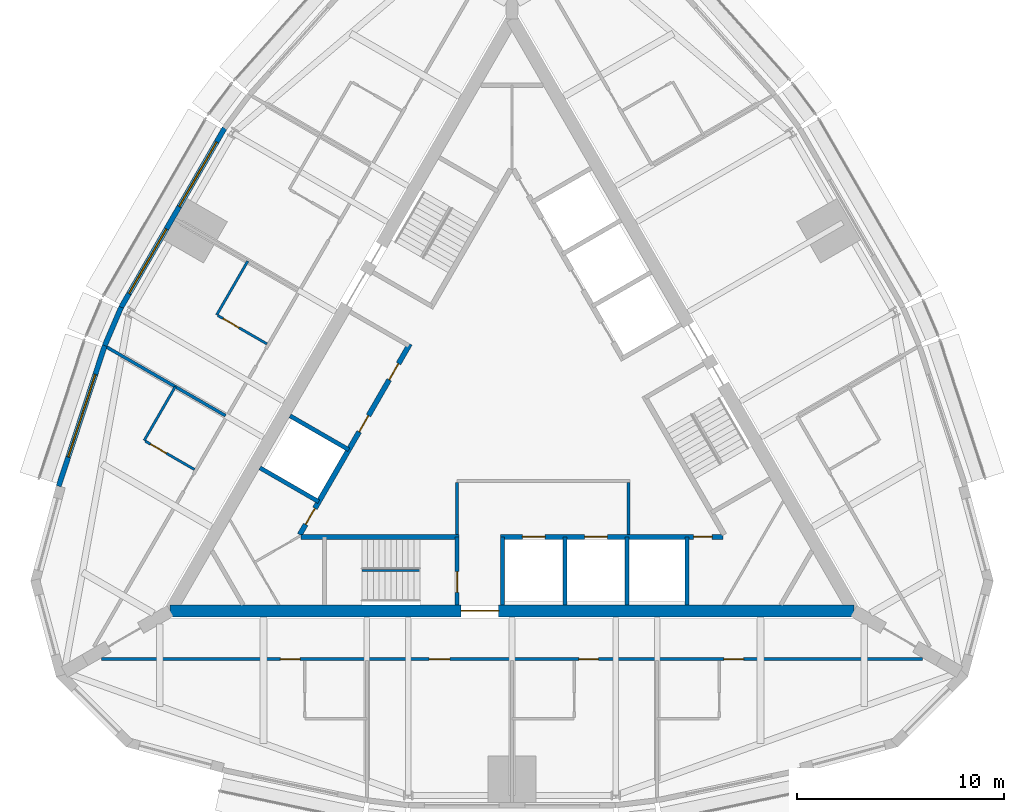
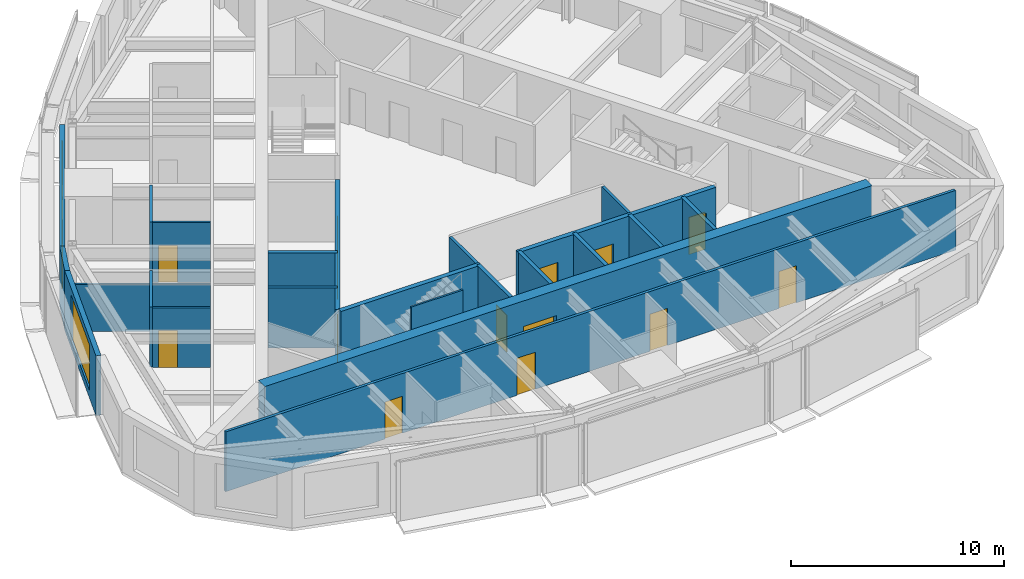
# One storey, part 8 of 12: 23 walls, 14 doors, 3 windows, 17 openings.
"""IFC4 building model written with IfcOpenShell, lengths in metres."""

from ifc_helpers import new_model, si_unit, direction, frame, frame_2d, origin, place, context, subcontext, project, spatial, rectangle, extrude, material, layer, layer_set, type_object, element, fill, save


model = new_model("IFC4")

# Units and contexts
model_context = context("Model", 3, precision=1e-05, world=origin(), true_north=direction((0.0, 1.0)))
body_context = subcontext(model_context, "Body", "Model", "MODEL_VIEW")
ifc_project = project(units=[si_unit("LENGTHUNIT", "METRE"), si_unit("AREAUNIT", "SQUARE_METRE"), si_unit("VOLUMEUNIT", "CUBIC_METRE"), si_unit("PLANEANGLEUNIT", "RADIAN"), si_unit("MASSUNIT", "GRAM", prefix="KILO")], contexts=[model_context])

# Site, building, storey
site_placement = place(None, origin())
site = spatial("IfcSite", under=ifc_project, at=site_placement, CompositionType="ELEMENT")
building_placement = place(site_placement, origin())
building = spatial("IfcBuilding", under=site, at=building_placement, Name="Trikona Tower", CompositionType="ELEMENT")
storey_placement = place(building_placement, frame((0.0, 0.0, 246.5)))
storey = spatial("IfcBuildingStorey", under=building, at=storey_placement, Name="L65", CompositionType="ELEMENT", Elevation=246.5)

# Wall
ifc_material_1 = material(Name="Metal stud and cement board", Category="gypsum")
ifc_layer_1 = layer(ifc_material_1, 0.1201171875)
ifc_layer_set_1 = layer_set([ifc_layer_1], Name="Bathroom wall 120")
wall_type_1 = type_object("IfcWallType", Name="Bathroom wall 120", PredefinedType="PLUMBINGWALL", material=ifc_layer_set_1)
wall_1_placement = place(storey_placement, frame((-12.75341796875, 7.363037109375, 0.0), z_axis=(0.0, 0.0, 1.0), x_axis=(-0.50002537861, -0.866010750942, 0.0)))
element("IfcWall", 1, at=wall_1_placement, inside=storey, type_object=wall_type_1, Name="Bathroom wall 6508", PredefinedType="PLUMBINGWALL", context=body_context, shape_type="SweptSolid", body=[
    extrude(rectangle(XDim=2.999755859375, YDim=0.1201171875, at=frame_2d((1.5, 0.0))), origin(), (0.0, 0.0, 1.0), 3.43505859375),
])

# Wall, opening, door
wall_2_placement = place(storey_placement, frame((-11.82861328125, 3.364990234375, 0.0), z_axis=(0.0, 0.0, 1.0), x_axis=(-0.865997131366, 0.500048966069, 0.0)))
wall_2 = element("IfcWall", 2, at=wall_2_placement, inside=storey, type_object=wall_type_1, Name="Bathroom wall 6508", PredefinedType="PLUMBINGWALL", context=body_context, shape_type="SweptSolid", body=[
    extrude(rectangle(XDim=2.739990234375, YDim=0.1201171875, at=frame_2d((1.3701171875, 0.0))), origin(), (0.0, 0.0, 1.0), 3.43505859375),
])
opening_1_placement = place(wall_2_placement, frame((1.550048828125, 0.0, 0.0)))
opening_1 = element("IfcOpeningElement", 3, at=opening_1_placement, cuts=wall_2, Name="Opening D2", PredefinedType="OPENING", context=body_context, shape_type="SweptSolid", body=[
    extrude(rectangle(XDim=0.89990234375, YDim=2.1298828125, at=frame_2d((0.449951171875, 1.06494140625))), frame((0.0, 0.070068359375, 0.0), z_axis=(0.0, -1.0, 0.0), x_axis=(1.0, 0.0, 0.0)), (0.0, 0.0, 1.0), 0.14013671875),
])
ifc_material_2 = material(Name="Steel door frame with solid-core timber leaf", Category="steel")
door_type_1 = type_object("IfcDoorType", Name="Bathroom door 900x2130", OperationType="SLIDING_TO_LEFT", PredefinedType="DOOR", material=ifc_material_2)
door_1_placement = place(opening_1_placement, origin())
door_1 = element("IfcDoor", 4, at=door_1_placement, inside=storey, type_object=door_type_1, Name="Bathroom door 6508", OperationType="SLIDING_TO_LEFT", OverallHeight=2.1298828125, OverallWidth=0.89990234375, PredefinedType="DOOR", context=body_context, shape_type="SweptSolid", body=[
    extrude(rectangle(XDim=0.89990234375, YDim=2.1298828125, at=frame_2d((0.449951171875, 1.06494140625))), frame((0.0, 0.02490234375, 0.0), z_axis=(0.0, -1.0, 0.0), x_axis=(1.0, 0.0, 0.0)), (0.0, 0.0, 1.0), 0.050048828125),
])
fill(opening_1, door_1)

# Wall
wall_3_placement = place(storey_placement, frame((-16.25341796875, 1.301025390625, 0.0), z_axis=(0.0, 0.0, 1.0), x_axis=(-0.499990139034, -0.866031096941, 0.0)))
element("IfcWall", 5, at=wall_3_placement, inside=storey, type_object=wall_type_1, Name="Bathroom wall 6509", PredefinedType="PLUMBINGWALL", context=body_context, shape_type="SweptSolid", body=[
    extrude(rectangle(XDim=3.0, YDim=0.1201171875, at=frame_2d((1.5, 0.0))), origin(), (0.0, 0.0, 1.0), 3.43505859375),
])

# Wall, opening, door
wall_4_placement = place(storey_placement, frame((-15.32861328125, -2.697021484375, 0.0), z_axis=(0.0, 0.0, 1.0), x_axis=(-0.866035715982, 0.499982138324, 0.0)))
wall_4 = element("IfcWall", 6, at=wall_4_placement, inside=storey, type_object=wall_type_1, Name="Bathroom wall 6509", PredefinedType="PLUMBINGWALL", context=body_context, shape_type="SweptSolid", body=[
    extrude(rectangle(XDim=2.73974609375, YDim=0.1201171875, at=frame_2d((1.369873046875, 0.0))), origin(), (0.0, 0.0, 1.0), 3.43505859375),
])
opening_2_placement = place(wall_4_placement, frame((1.550048828125, 0.0, 0.0)))
opening_2 = element("IfcOpeningElement", 7, at=opening_2_placement, cuts=wall_4, Name="Opening D2", PredefinedType="OPENING", context=body_context, shape_type="SweptSolid", body=[
    extrude(rectangle(XDim=0.89990234375, YDim=2.1298828125, at=frame_2d((0.449951171875, 1.06494140625))), frame((0.0, 0.070068359375, 0.0), z_axis=(0.0, -1.0, 0.0), x_axis=(1.0, 0.0, 0.0)), (0.0, 0.0, 1.0), 0.14013671875),
])
door_2_placement = place(opening_2_placement, origin())
door_2 = element("IfcDoor", 8, at=door_2_placement, inside=storey, type_object=door_type_1, Name="Bathroom door 6509", OperationType="SLIDING_TO_LEFT", OverallHeight=2.1298828125, OverallWidth=0.89990234375, PredefinedType="DOOR", context=body_context, shape_type="SweptSolid", body=[
    extrude(rectangle(XDim=0.89990234375, YDim=2.1298828125, at=frame_2d((0.449951171875, 1.06494140625))), frame((0.0, 0.02490234375, 0.0), z_axis=(0.0, -1.0, 0.0), x_axis=(1.0, 0.0, 0.0)), (0.0, 0.0, 1.0), 0.050048828125),
])
fill(opening_2, door_2)

ifc_material_3 = material(Name="Concrete f'c 10000 psi", Category="concrete")
ifc_layer_2 = layer(ifc_material_3, 0.60009765625)
ifc_layer_set_2 = layer_set([ifc_layer_2], Name="Core wall 600")
wall_type_2 = type_object("IfcWallType", Name="Core wall 600", PredefinedType="SHEAR", material=ifc_layer_set_2)
wall_5_placement = place(storey_placement, frame((-16.5, -9.5263671875, 0.0), z_axis=(0.0, 0.0, 1.0), x_axis=(1.0, 0.0, 0.0)))
wall_5 = element("IfcWall", 9, at=wall_5_placement, inside=storey, type_object=wall_type_2, Name="Core wall A", PredefinedType="SHEAR", context=body_context, shape_type="SweptSolid", body=[
    extrude(rectangle(XDim=33.0, YDim=0.60009765625, at=frame_2d((16.5, 0.0))), origin(), (0.0, 0.0, 1.0), 3.60009765625),
])
opening_3_placement = place(wall_5_placement, frame((14.050048828125, 0.0, 0.0)))
opening_3 = element("IfcOpeningElement", 10, at=opening_3_placement, cuts=wall_5, Name="Opening D6", PredefinedType="OPENING", context=body_context, shape_type="SweptSolid", body=[
    extrude(rectangle(XDim=1.800048828125, YDim=2.1298828125, at=frame_2d((0.89990234375, 1.06494140625))), frame((0.0, 0.31005859375, 0.0), z_axis=(0.0, -1.0, 0.0), x_axis=(1.0, 0.0, 0.0)), (0.0, 0.0, 1.0), 0.6201171875),
])
ifc_material_4 = material(Name="Hollow metal door and frame", Category="steel")
door_type_2 = type_object("IfcDoorType", Name="Lobby door pair 1800x2130", OperationType="DOUBLE_DOOR_SINGLE_SWING", PredefinedType="DOOR", material=ifc_material_4)
door_3_placement = place(opening_3_placement, origin())
door_3 = element("IfcDoor", 11, at=door_3_placement, inside=storey, type_object=door_type_2, Name="Fire service lift lobby door", OperationType="DOUBLE_DOOR_SINGLE_SWING", OverallHeight=2.1298828125, OverallWidth=1.800048828125, PredefinedType="DOOR", context=body_context, shape_type="SweptSolid", body=[
    extrude(rectangle(XDim=1.800048828125, YDim=2.1298828125, at=frame_2d((0.89990234375, 1.06494140625))), frame((0.0, 0.02490234375, 0.0), z_axis=(0.0, -1.0, 0.0), x_axis=(1.0, 0.0, 0.0)), (0.0, 0.0, 1.0), 0.050048828125),
])
fill(opening_3, door_3)

# Wall, openings, doors
ifc_material_5 = material(Name="Metal stud and gypsum board, 1-hour", Category="gypsum")
ifc_layer_3 = layer(ifc_material_5, 0.14990234375)
ifc_layer_set_3 = layer_set([ifc_layer_3], Name="Corridor wall 150")
wall_type_3 = type_object("IfcWallType", Name="Corridor wall 150", PredefinedType="PARTITIONING", material=ifc_layer_set_3)
wall_6_placement = place(storey_placement, frame((-19.826904296875, -11.851318359375, 0.0), z_axis=(0.0, 0.0, 1.0), x_axis=(1.0, 0.0, 0.0)))
wall_6 = element("IfcWall", 12, at=wall_6_placement, inside=storey, type_object=wall_type_3, Name="Corridor wall L65-1", PredefinedType="PARTITIONING", context=body_context, shape_type="SweptSolid", body=[
    extrude(rectangle(XDim=39.65380859375, YDim=0.14990234375, at=frame_2d((19.826904296875, 0.0))), origin(), (0.0, 0.0, 1.0), 3.43505859375),
])
opening_4_placement = place(wall_6_placement, frame((8.652099609375, 0.0, 0.0)))
opening_4 = element("IfcOpeningElement", 13, at=opening_4_placement, cuts=wall_6, Name="Opening D1", PredefinedType="OPENING", context=body_context, shape_type="SweptSolid", body=[
    extrude(rectangle(XDim=0.949951171875, YDim=2.1298828125, at=frame_2d((0.47509765625, 1.06494140625))), frame((0.0, 0.0849609375, 0.0), z_axis=(0.0, -1.0, 0.0), x_axis=(1.0, 0.0, 0.0)), (0.0, 0.0, 1.0), 0.169921875),
])
opening_5_placement = place(wall_6_placement, frame((15.826904296875, 0.0, 0.0)))
opening_5 = element("IfcOpeningElement", 14, at=opening_5_placement, cuts=wall_6, Name="Opening D3", PredefinedType="OPENING", context=body_context, shape_type="SweptSolid", body=[
    extrude(rectangle(XDim=1.0, YDim=2.1298828125, at=frame_2d((0.5, 1.06494140625))), frame((0.0, 0.0849609375, 0.0), z_axis=(0.0, -1.0, 0.0), x_axis=(1.0, 0.0, 0.0)), (0.0, 0.0, 1.0), 0.169921875),
])
opening_6_placement = place(wall_6_placement, frame((23.052001953125, 0.0, 0.0)))
opening_6 = element("IfcOpeningElement", 15, at=opening_6_placement, cuts=wall_6, Name="Opening D1", PredefinedType="OPENING", context=body_context, shape_type="SweptSolid", body=[
    extrude(rectangle(XDim=0.949951171875, YDim=2.1298828125, at=frame_2d((0.47509765625, 1.06494140625))), frame((0.0, 0.0849609375, 0.0), z_axis=(0.0, -1.0, 0.0), x_axis=(1.0, 0.0, 0.0)), (0.0, 0.0, 1.0), 0.169921875),
])
opening_7_placement = place(wall_6_placement, frame((30.052001953125, 0.0, 0.0)))
opening_7 = element("IfcOpeningElement", 16, at=opening_7_placement, cuts=wall_6, Name="Opening D1", PredefinedType="OPENING", context=body_context, shape_type="SweptSolid", body=[
    extrude(rectangle(XDim=0.949951171875, YDim=2.1298828125, at=frame_2d((0.47509765625, 1.06494140625))), frame((0.0, 0.0849609375, 0.0), z_axis=(0.0, -1.0, 0.0), x_axis=(1.0, 0.0, 0.0)), (0.0, 0.0, 1.0), 0.169921875),
])
ifc_material_6 = material(Name="Steel door frame with solid-core timber leaf", Category="steel")
door_type_3 = type_object("IfcDoorType", Name="Guest room door 950x2130", OperationType="SINGLE_SWING_LEFT", PredefinedType="DOOR", material=ifc_material_6)
door_4_placement = place(opening_4_placement, origin())
door_4 = element("IfcDoor", 17, at=door_4_placement, inside=storey, type_object=door_type_3, Name="Room door 6501", OperationType="SINGLE_SWING_LEFT", OverallHeight=2.1298828125, OverallWidth=0.949951171875, PredefinedType="DOOR", context=body_context, shape_type="SweptSolid", body=[
    extrude(rectangle(XDim=0.949951171875, YDim=2.1298828125, at=frame_2d((0.47509765625, 1.06494140625))), frame((0.0, 0.02490234375, 0.0), z_axis=(0.0, -1.0, 0.0), x_axis=(1.0, 0.0, 0.0)), (0.0, 0.0, 1.0), 0.050048828125),
])
fill(opening_4, door_4)
door_5_placement = place(opening_6_placement, origin())
door_5 = element("IfcDoor", 18, at=door_5_placement, inside=storey, type_object=door_type_3, Name="Room door 6502", OperationType="SINGLE_SWING_LEFT", OverallHeight=2.1298828125, OverallWidth=0.949951171875, PredefinedType="DOOR", context=body_context, shape_type="SweptSolid", body=[
    extrude(rectangle(XDim=0.949951171875, YDim=2.1298828125, at=frame_2d((0.47509765625, 1.06494140625))), frame((0.0, 0.02490234375, 0.0), z_axis=(0.0, -1.0, 0.0), x_axis=(1.0, 0.0, 0.0)), (0.0, 0.0, 1.0), 0.050048828125),
])
fill(opening_6, door_5)
door_6_placement = place(opening_7_placement, origin())
door_6 = element("IfcDoor", 19, at=door_6_placement, inside=storey, type_object=door_type_3, Name="Room door 6503", OperationType="SINGLE_SWING_RIGHT", OverallHeight=2.1298828125, OverallWidth=0.949951171875, PredefinedType="DOOR", context=body_context, shape_type="SweptSolid", body=[
    extrude(rectangle(XDim=0.949951171875, YDim=2.1298828125, at=frame_2d((0.47509765625, 1.06494140625))), frame((0.0, 0.02490234375, 0.0), z_axis=(0.0, -1.0, 0.0), x_axis=(1.0, 0.0, 0.0)), (0.0, 0.0, 1.0), 0.050048828125),
])
fill(opening_7, door_6)
ifc_material_7 = material(Name="Steel door frame with solid-core timber leaf", Category="steel")
door_type_4 = type_object("IfcDoorType", Name="Room door 1000x2130", OperationType="SINGLE_SWING_LEFT", PredefinedType="DOOR", material=ifc_material_7)
door_7_placement = place(opening_5_placement, origin())
door_7 = element("IfcDoor", 20, at=door_7_placement, inside=storey, type_object=door_type_4, Name="Door Housekeeping pantry", OperationType="SINGLE_SWING_RIGHT", OverallHeight=2.1298828125, OverallWidth=1.0, PredefinedType="DOOR", context=body_context, shape_type="SweptSolid", body=[
    extrude(rectangle(XDim=1.0, YDim=2.1298828125, at=frame_2d((0.5, 1.06494140625))), frame((0.0, 0.02490234375, 0.0), z_axis=(0.0, -1.0, 0.0), x_axis=(1.0, 0.0, 0.0)), (0.0, 0.0, 1.0), 0.050048828125),
])
fill(opening_5, door_7)

# Wall
ifc_material_8 = material(Name="Concrete f'c 8000 psi", Category="concrete")
ifc_layer_4 = layer(ifc_material_8, 0.25)
ifc_layer_set_4 = layer_set([ifc_layer_4], Name="Hub wall 250")
wall_type_4 = type_object("IfcWallType", Name="Hub wall 250", PredefinedType="SOLIDWALL", material=ifc_layer_set_4)
wall_7_placement = place(storey_placement, frame((-10.182861328125, -5.951416015625, 0.0), z_axis=(0.0, 0.0, 1.0), x_axis=(1.0, 0.0, 0.0)))
element("IfcWall", 21, at=wall_7_placement, inside=storey, type_object=wall_type_4, Name="Lift lobby wall A1", PredefinedType="SOLIDWALL", context=body_context, shape_type="SweptSolid", body=[
    extrude(rectangle(XDim=7.6328125, YDim=0.25, at=frame_2d((3.81640625, 0.0))), origin(), (0.0, 0.0, 1.0), 3.43505859375),
])

# Wall, openings, doors
wall_8_placement = place(storey_placement, frame((-0.550048828125, -5.951416015625, 0.0), z_axis=(0.0, 0.0, 1.0), x_axis=(1.0, 0.0, 0.0)))
wall_8 = element("IfcWall", 22, at=wall_8_placement, inside=storey, type_object=wall_type_4, Name="Lift lobby wall A2", PredefinedType="SOLIDWALL", context=body_context, shape_type="SweptSolid", body=[
    extrude(rectangle(XDim=10.73291015625, YDim=0.25, at=frame_2d((5.366455078125, 0.0))), origin(), (0.0, 0.0, 1.0), 3.43505859375),
])
opening_8_placement = place(wall_8_placement, frame((9.31396484375, 0.0, 0.0)))
opening_8 = element("IfcOpeningElement", 23, at=opening_8_placement, cuts=wall_8, Name="Opening D14", PredefinedType="OPENING", context=body_context, shape_type="SweptSolid", body=[
    extrude(rectangle(XDim=0.89990234375, YDim=2.1298828125, at=frame_2d((0.449951171875, 1.06494140625))), frame((0.0, 0.135009765625, 0.0), z_axis=(0.0, -1.0, 0.0), x_axis=(1.0, 0.0, 0.0)), (0.0, 0.0, 1.0), 0.27001953125),
])
opening_9_placement = place(wall_8_placement, frame((1.050048828125, 0.0, 0.0)))
opening_9 = element("IfcOpeningElement", 24, at=opening_9_placement, cuts=wall_8, Name="Opening LD", PredefinedType="OPENING", context=body_context, shape_type="SweptSolid", body=[
    extrude(rectangle(XDim=1.10009765625, YDim=2.1298828125, at=frame_2d((0.550048828125, 1.06494140625))), frame((0.0, 0.135009765625, 0.0), z_axis=(0.0, -1.0, 0.0), x_axis=(1.0, 0.0, 0.0)), (0.0, 0.0, 1.0), 0.27001953125),
])
opening_10_placement = place(wall_8_placement, frame((4.050048828125, 0.0, 0.0)))
opening_10 = element("IfcOpeningElement", 25, at=opening_10_placement, cuts=wall_8, Name="Opening LD", PredefinedType="OPENING", context=body_context, shape_type="SweptSolid", body=[
    extrude(rectangle(XDim=1.10009765625, YDim=2.1298828125, at=frame_2d((0.550048828125, 1.06494140625))), frame((0.0, 0.135009765625, 0.0), z_axis=(0.0, -1.0, 0.0), x_axis=(1.0, 0.0, 0.0)), (0.0, 0.0, 1.0), 0.27001953125),
])
ifc_material_9 = material(Name="Stainless steel lift landing door", Category="steel")
door_type_5 = type_object("IfcDoorType", Name="Lift landing door 1100x2130", OperationType="DOUBLE_DOOR_SLIDING", PredefinedType="USERDEFINED", material=ifc_material_9)
door_8_placement = place(opening_9_placement, origin())
door_8 = element("IfcDoor", 26, at=door_8_placement, inside=storey, type_object=door_type_5, Name="Lift landing door FF1", ObjectType="LIFT LANDING DOOR", OperationType="DOUBLE_DOOR_SLIDING", OverallHeight=2.1298828125, OverallWidth=1.10009765625, PredefinedType="USERDEFINED", context=body_context, shape_type="SweptSolid", body=[
    extrude(rectangle(XDim=1.10009765625, YDim=2.1298828125, at=frame_2d((0.550048828125, 1.06494140625))), frame((0.0, 0.02490234375, 0.0), z_axis=(0.0, -1.0, 0.0), x_axis=(1.0, 0.0, 0.0)), (0.0, 0.0, 1.0), 0.050048828125),
])
fill(opening_9, door_8)
door_9_placement = place(opening_10_placement, origin())
door_9 = element("IfcDoor", 27, at=door_9_placement, inside=storey, type_object=door_type_5, Name="Lift landing door FF2", ObjectType="LIFT LANDING DOOR", OperationType="DOUBLE_DOOR_SLIDING", OverallHeight=2.1298828125, OverallWidth=1.10009765625, PredefinedType="USERDEFINED", context=body_context, shape_type="SweptSolid", body=[
    extrude(rectangle(XDim=1.10009765625, YDim=2.1298828125, at=frame_2d((0.550048828125, 1.06494140625))), frame((0.0, 0.02490234375, 0.0), z_axis=(0.0, -1.0, 0.0), x_axis=(1.0, 0.0, 0.0)), (0.0, 0.0, 1.0), 0.050048828125),
])
fill(opening_10, door_9)
ifc_material_10 = material(Name="Hollow metal door and frame", Category="steel")
door_type_6 = type_object("IfcDoorType", Name="Service room door 900x2130", OperationType="SINGLE_SWING_LEFT", PredefinedType="DOOR", material=ifc_material_10)
door_10_placement = place(opening_8_placement, origin())
door_10 = element("IfcDoor", 28, at=door_10_placement, inside=storey, type_object=door_type_6, Name="Door Housekeeping store HKS", OperationType="SINGLE_SWING_RIGHT", OverallHeight=2.1298828125, OverallWidth=0.89990234375, PredefinedType="DOOR", context=body_context, shape_type="SweptSolid", body=[
    extrude(rectangle(XDim=0.89990234375, YDim=2.1298828125, at=frame_2d((0.449951171875, 1.06494140625))), frame((0.0, 0.02490234375, 0.0), z_axis=(0.0, -1.0, 0.0), x_axis=(1.0, 0.0, 0.0)), (0.0, 0.0, 1.0), 0.050048828125),
])
fill(opening_8, door_10)

wall_9_placement = place(storey_placement, frame((-4.928955078125, 3.365478515625, 0.0), z_axis=(0.0, 0.0, 1.0), x_axis=(-0.499991433582, -0.866030349552, 0.0)))
wall_9 = element("IfcWall", 29, at=wall_9_placement, inside=storey, type_object=wall_type_4, Name="Lift lobby wall C2", PredefinedType="SOLIDWALL", context=body_context, shape_type="SweptSolid", body=[
    extrude(rectangle(XDim=10.633056640625, YDim=0.25, at=frame_2d((5.31640625, 0.0))), origin(), (0.0, 0.0, 1.0), 3.43505859375),
])
opening_11_placement = place(wall_9_placement, frame((9.1640625, 0.0, 0.0)))
opening_11 = element("IfcOpeningElement", 30, at=opening_11_placement, cuts=wall_9, Name="Opening D14", PredefinedType="OPENING", context=body_context, shape_type="SweptSolid", body=[
    extrude(rectangle(XDim=0.89990234375, YDim=2.1298828125, at=frame_2d((0.449951171875, 1.06494140625))), frame((0.0, 0.135009765625, 0.0), z_axis=(0.0, -1.0, 0.0), x_axis=(1.0, 0.0, 0.0)), (0.0, 0.0, 1.0), 0.27001953125),
])
opening_12_placement = place(wall_9_placement, frame((1.10009765625, 0.0, 0.0)))
opening_12 = element("IfcOpeningElement", 31, at=opening_12_placement, cuts=wall_9, Name="Opening D14", PredefinedType="OPENING", context=body_context, shape_type="SweptSolid", body=[
    extrude(rectangle(XDim=0.89990234375, YDim=2.1298828125, at=frame_2d((0.449951171875, 1.06494140625))), frame((0.0, 0.135009765625, 0.0), z_axis=(0.0, -1.0, 0.0), x_axis=(1.0, 0.0, 0.0)), (0.0, 0.0, 1.0), 0.27001953125),
])
opening_13_placement = place(wall_9_placement, frame((4.0, 0.0, 0.0)))
opening_13 = element("IfcOpeningElement", 32, at=opening_13_placement, cuts=wall_9, Name="Opening D14", PredefinedType="OPENING", context=body_context, shape_type="SweptSolid", body=[
    extrude(rectangle(XDim=0.89990234375, YDim=2.1298828125, at=frame_2d((0.449951171875, 1.06494140625))), frame((0.0, 0.135009765625, 0.0), z_axis=(0.0, -1.0, 0.0), x_axis=(1.0, 0.0, 0.0)), (0.0, 0.0, 1.0), 0.27001953125),
])
door_11_placement = place(opening_11_placement, origin())
door_11 = element("IfcDoor", 33, at=door_11_placement, inside=storey, type_object=door_type_6, Name="Door Linen store LIN", OperationType="SINGLE_SWING_RIGHT", OverallHeight=2.1298828125, OverallWidth=0.89990234375, PredefinedType="DOOR", context=body_context, shape_type="SweptSolid", body=[
    extrude(rectangle(XDim=0.89990234375, YDim=2.1298828125, at=frame_2d((0.449951171875, 1.06494140625))), frame((0.0, 0.02490234375, 0.0), z_axis=(0.0, -1.0, 0.0), x_axis=(1.0, 0.0, 0.0)), (0.0, 0.0, 1.0), 0.050048828125),
])
fill(opening_11, door_11)
door_12_placement = place(opening_12_placement, origin())
door_12 = element("IfcDoor", 34, at=door_12_placement, inside=storey, type_object=door_type_6, Name="Door Amenity store AMS1", OperationType="SINGLE_SWING_LEFT", OverallHeight=2.1298828125, OverallWidth=0.89990234375, PredefinedType="DOOR", context=body_context, shape_type="SweptSolid", body=[
    extrude(rectangle(XDim=0.89990234375, YDim=2.1298828125, at=frame_2d((0.449951171875, 1.06494140625))), frame((0.0, 0.02490234375, 0.0), z_axis=(0.0, -1.0, 0.0), x_axis=(1.0, 0.0, 0.0)), (0.0, 0.0, 1.0), 0.050048828125),
])
fill(opening_12, door_12)
door_13_placement = place(opening_13_placement, origin())
door_13 = element("IfcDoor", 35, at=door_13_placement, inside=storey, type_object=door_type_6, Name="Door Amenity store AMS1", OperationType="SINGLE_SWING_RIGHT", OverallHeight=2.1298828125, OverallWidth=0.89990234375, PredefinedType="DOOR", context=body_context, shape_type="SweptSolid", body=[
    extrude(rectangle(XDim=0.89990234375, YDim=2.1298828125, at=frame_2d((0.449951171875, 1.06494140625))), frame((0.0, 0.02490234375, 0.0), z_axis=(0.0, -1.0, 0.0), x_axis=(1.0, 0.0, 0.0)), (0.0, 0.0, 1.0), 0.050048828125),
])
fill(opening_13, door_13)

# Wall, openings, windows
ifc_material_11 = material(Name="Insulated precast concrete spandrel panel", Category="concrete")
ifc_layer_5 = layer(ifc_material_11, 0.25)
ifc_layer_set_5 = layer_set([ifc_layer_5], Name="Inner skin wall 250")
wall_type_5 = type_object("IfcWallType", Name="Inner skin wall 250", PredefinedType="STANDARD", material=ifc_layer_set_5)
wall_10_placement = place(storey_placement, frame((-13.87255859375, 13.782958984375, 0.0), z_axis=(0.0, 0.0, 1.0), x_axis=(-0.499993662806, -0.866029062534, 0.0)))
wall_10 = element("IfcWall", 36, at=wall_10_placement, inside=storey, type_object=wall_type_5, Name="External wall L65-20", PredefinedType="STANDARD", context=body_context, shape_type="SweptSolid", body=[
    extrude(rectangle(XDim=10.000244140625, YDim=0.25, at=frame_2d((5.0, 0.0))), origin(), (0.0, 0.0, 1.0), 3.43505859375),
])
opening_14_placement = place(wall_10_placement, frame((0.77490234375, 0.0, 0.449951171875)))
opening_14 = element("IfcOpeningElement", 37, at=opening_14_placement, cuts=wall_10, Name="Opening W3626", PredefinedType="OPENING", context=body_context, shape_type="SweptSolid", body=[
    extrude(rectangle(XDim=3.60009765625, YDim=2.60009765625, at=frame_2d((1.800048828125, 1.300048828125))), frame((0.0, 0.135009765625, 0.0), z_axis=(0.0, -1.0, 0.0), x_axis=(1.0, 0.0, 0.0)), (0.0, 0.0, 1.0), 0.27001953125),
])
opening_15_placement = place(wall_10_placement, frame((5.625, 0.0, 0.449951171875)))
opening_15 = element("IfcOpeningElement", 38, at=opening_15_placement, cuts=wall_10, Name="Opening W3626", PredefinedType="OPENING", context=body_context, shape_type="SweptSolid", body=[
    extrude(rectangle(XDim=3.60009765625, YDim=2.60009765625, at=frame_2d((1.800048828125, 1.300048828125))), frame((0.0, 0.135009765625, 0.0), z_axis=(0.0, -1.0, 0.0), x_axis=(1.0, 0.0, 0.0)), (0.0, 0.0, 1.0), 0.27001953125),
])
ifc_material_12 = material(Name="Aluminium-framed double glazing", Category="aluminium")
window_type_1 = type_object("IfcWindowType", Name="Window 3600x2600", PartitioningType="SINGLE_PANEL", PredefinedType="WINDOW", material=ifc_material_12)
window_1_placement = place(opening_14_placement, origin())
window_1 = element("IfcWindow", 39, at=window_1_placement, inside=storey, type_object=window_type_1, Name="Window 6507", OverallHeight=2.60009765625, OverallWidth=3.60009765625, PartitioningType="SINGLE_PANEL", PredefinedType="WINDOW", context=body_context, shape_type="SweptSolid", body=[
    extrude(rectangle(XDim=3.60009765625, YDim=2.60009765625, at=frame_2d((1.800048828125, 1.300048828125))), frame((0.0, 0.030029296875, 0.0), z_axis=(0.0, -1.0, 0.0), x_axis=(1.0, 0.0, 0.0)), (0.0, 0.0, 1.0), 0.06005859375),
])
fill(opening_14, window_1)
window_2_placement = place(opening_15_placement, origin())
window_2 = element("IfcWindow", 40, at=window_2_placement, inside=storey, type_object=window_type_1, Name="Window 6508", OverallHeight=2.60009765625, OverallWidth=3.60009765625, PartitioningType="SINGLE_PANEL", PredefinedType="WINDOW", context=body_context, shape_type="SweptSolid", body=[
    extrude(rectangle(XDim=3.60009765625, YDim=2.60009765625, at=frame_2d((1.800048828125, 1.300048828125))), frame((0.0, 0.030029296875, 0.0), z_axis=(0.0, -1.0, 0.0), x_axis=(1.0, 0.0, 0.0)), (0.0, 0.0, 1.0), 0.06005859375),
])
fill(opening_15, window_2)

# Wall
wall_11_placement = place(storey_placement, frame((-18.865966796875, 5.135986328125, 0.0), z_axis=(0.0, 0.0, 1.0), x_axis=(-0.393290226175, -0.91941437774, 0.0)))
element("IfcWall", 41, at=wall_11_placement, inside=storey, type_object=wall_type_5, Name="External wall L65-21", PredefinedType="STANDARD", context=body_context, shape_type="SweptSolid", body=[
    extrude(rectangle(XDim=2.014404296875, YDim=0.25, at=frame_2d((1.00732421875, 0.0))), origin(), (0.0, 0.0, 1.0), 3.43505859375),
])

# Wall, opening, window
wall_12_placement = place(storey_placement, frame((-19.654296875, 3.294189453125, 0.0), z_axis=(0.0, 0.0, 1.0), x_axis=(-0.311328857048, -0.95030223759, 0.0)))
wall_12 = element("IfcWall", 42, at=wall_12_placement, inside=storey, type_object=wall_type_5, Name="External wall L65-22", PredefinedType="STANDARD", context=body_context, shape_type="SweptSolid", body=[
    extrude(rectangle(XDim=7.152587890625, YDim=0.25, at=frame_2d((3.576171875, 0.0))), origin(), (0.0, 0.0, 1.0), 3.43505859375),
])
opening_16_placement = place(wall_12_placement, frame((1.476318359375, 0.0, 0.449951171875)))
opening_16 = element("IfcOpeningElement", 43, at=opening_16_placement, cuts=wall_12, Name="Opening W4226", PredefinedType="OPENING", context=body_context, shape_type="SweptSolid", body=[
    extrude(rectangle(XDim=4.199951171875, YDim=2.60009765625, at=frame_2d((2.10009765625, 1.300048828125))), frame((0.0, 0.135009765625, 0.0), z_axis=(0.0, -1.0, 0.0), x_axis=(1.0, 0.0, 0.0)), (0.0, 0.0, 1.0), 0.27001953125),
])
ifc_material_13 = material(Name="Aluminium-framed double glazing", Category="aluminium")
window_type_2 = type_object("IfcWindowType", Name="Window 4200x2600", PartitioningType="SINGLE_PANEL", PredefinedType="WINDOW", material=ifc_material_13)
window_3_placement = place(opening_16_placement, origin())
window_3 = element("IfcWindow", 44, at=window_3_placement, inside=storey, type_object=window_type_2, Name="Window 6509", OverallHeight=2.60009765625, OverallWidth=4.199951171875, PartitioningType="SINGLE_PANEL", PredefinedType="WINDOW", context=body_context, shape_type="SweptSolid", body=[
    extrude(rectangle(XDim=4.199951171875, YDim=2.60009765625, at=frame_2d((2.10009765625, 1.300048828125))), frame((0.0, 0.030029296875, 0.0), z_axis=(0.0, -1.0, 0.0), x_axis=(1.0, 0.0, 0.0)), (0.0, 0.0, 1.0), 0.06005859375),
])
fill(opening_16, window_3)

# Walls
ifc_material_14 = material(Name="Metal stud and gypsum board, 2-hour shaft wall", Category="gypsum")
ifc_layer_6 = layer(ifc_material_14, 0.14990234375)
ifc_layer_set_6 = layer_set([ifc_layer_6], Name="Lobby wall 150")
wall_type_6 = type_object("IfcWallType", Name="Lobby wall 150", PredefinedType="PARTITIONING", material=ifc_layer_set_6)
for number, where, z_axis, x_axis, name in (
    (45, (-2.64990234375, -5.826416015625, 0.0), (0.0, 0.0, 1.0), (0.0, 1.0, 0.0), "Fire service lift lobby wall 2"),
    (46, (5.625, -5.826416015625, 0.0), (0.0, 0.0, 1.0), (0.0, 1.0, 0.0), "Fire service lift lobby wall 3"),
):
    element("IfcWall", number, at=place(storey_placement, frame(where, z_axis=z_axis, x_axis=x_axis)), inside=storey, type_object=wall_type_6, Name=name, PredefinedType="PARTITIONING", context=body_context, shape_type="SweptSolid", body=[
        extrude(rectangle(XDim=2.5, YDim=0.14990234375, at=frame_2d((1.25, 0.0))), origin(), (0.0, 0.0, 1.0), 3.43505859375),
    ])
ifc_material_15 = material(Name="Metal stud and gypsum board, 1-hour acoustic", Category="gypsum")
ifc_layer_7 = layer(ifc_material_15, 0.14990234375)
ifc_layer_set_7 = layer_set([ifc_layer_7], Name="Party wall 150")
wall_type_7 = type_object("IfcWallType", Name="Party wall 150", PredefinedType="PARTITIONING", material=ifc_layer_set_7)
wall_13_placement = place(storey_placement, frame((-13.82861328125, -0.09912109375, 0.0), z_axis=(0.0, 0.0, 1.0), x_axis=(-0.866022562216, 0.500004921708, 0.0)))
element("IfcWall", 47, at=wall_13_placement, inside=storey, type_object=wall_type_7, Name="Partition L65 F3 u7", PredefinedType="PARTITIONING", context=body_context, shape_type="SweptSolid", body=[
    extrude(rectangle(XDim=6.60888671875, YDim=0.14990234375, at=frame_2d((3.304443359375, 0.0))), origin(), (0.0, 0.0, 1.0), 2.677978515625),
])
ifc_material_16 = material(Name="Concrete f'c 8000 psi", Category="concrete")
ifc_layer_8 = layer(ifc_material_16, 0.199951171875)
ifc_layer_set_8 = layer_set([ifc_layer_8], Name="Shaft wall 200")
wall_type_8 = type_object("IfcWallType", Name="Shaft wall 200", PredefinedType="SOLIDWALL", material=ifc_layer_set_8)
for number, where, z_axis, x_axis, name in (
    (48, (-0.449951171875, -5.951416015625, 0.0), (0.0, 0.0, 1.0), (0.0, -1.0, 0.0), "Shaft wall A3"),
    (49, (2.550048828125, -5.951416015625, 0.0), (0.0, 0.0, 1.0), (0.0, -1.0, 0.0), "Shaft wall A4"),
    (50, (5.550048828125, -5.951416015625, 0.0), (0.0, 0.0, 1.0), (0.0, -1.0, 0.0), "Shaft wall A5"),
    (51, (8.449951171875, -5.951416015625, 0.0), (0.0, 0.0, 1.0), (0.0, -1.0, 0.0), "Shaft wall A6"),
    (52, (-7.87890625, -1.744140625, 0.0), (0.0, 0.0, 1.0), (-0.866027924134, 0.499995634601, 0.0), "Shaft wall C5"),
    (53, (-9.3291015625, -4.255615234375, 0.0), (0.0, 0.0, 1.0), (-0.866027924134, 0.499995634601, 0.0), "Shaft wall C6"),
):
    element("IfcWall", number, at=place(storey_placement, frame(where, z_axis=z_axis, x_axis=x_axis)), inside=storey, type_object=wall_type_8, Name=name, PredefinedType="SOLIDWALL", context=body_context, shape_type="SweptSolid", body=[
        extrude(rectangle(XDim=3.27490234375, YDim=0.199951171875, at=frame_2d((1.637451171875, 0.0))), origin(), (0.0, 0.0, 1.0), 3.43505859375),
    ])

# Wall, opening, door
ifc_material_17 = material(Name="Concrete f'c 8000 psi", Category="concrete")
ifc_layer_9 = layer(ifc_material_17, 0.199951171875)
ifc_layer_set_9 = layer_set([ifc_layer_9], Name="Shaft wall 200 load-bearing")
wall_type_9 = type_object("IfcWallType", Name="Shaft wall 200 load-bearing", PredefinedType="SOLIDWALL", material=ifc_layer_set_9)
wall_14_placement = place(storey_placement, frame((-2.64990234375, -5.951416015625, 0.0), z_axis=(0.0, 0.0, 1.0), x_axis=(0.0, -1.0, 0.0)))
wall_14 = element("IfcWall", 54, at=wall_14_placement, inside=storey, type_object=wall_type_9, Name="Shaft wall A2", PredefinedType="SOLIDWALL", context=body_context, shape_type="SweptSolid", body=[
    extrude(rectangle(XDim=3.27490234375, YDim=0.199951171875, at=frame_2d((1.637451171875, 0.0))), origin(), (0.0, 0.0, 1.0), 3.43505859375),
])
opening_17_placement = place(wall_14_placement, frame((1.675048828125, 0.0, 0.0)))
opening_17 = element("IfcOpeningElement", 55, at=opening_17_placement, cuts=wall_14, Name="Opening D5", PredefinedType="OPENING", context=body_context, shape_type="SweptSolid", body=[
    extrude(rectangle(XDim=1.0, YDim=2.1298828125, at=frame_2d((0.5, 1.06494140625))), frame((0.0, 0.10986328125, 0.0), z_axis=(0.0, -1.0, 0.0), x_axis=(1.0, 0.0, 0.0)), (0.0, 0.0, 1.0), 0.219970703125),
])
ifc_material_18 = material(Name="Hollow metal door and frame", Category="steel")
door_type_7 = type_object("IfcDoorType", Name="Stair door 1000x2130", OperationType="SINGLE_SWING_LEFT", PredefinedType="DOOR", material=ifc_material_18)
door_14_placement = place(opening_17_placement, origin())
door_14 = element("IfcDoor", 56, at=door_14_placement, inside=storey, type_object=door_type_7, Name="Stair A door", OperationType="SINGLE_SWING_RIGHT", OverallHeight=2.1298828125, OverallWidth=1.0, PredefinedType="DOOR", context=body_context, shape_type="SweptSolid", body=[
    extrude(rectangle(XDim=1.0, YDim=2.1298828125, at=frame_2d((0.5, 1.06494140625))), frame((0.0, 0.02490234375, 0.0), z_axis=(0.0, -1.0, 0.0), x_axis=(1.0, 0.0, 0.0)), (0.0, 0.0, 1.0), 0.050048828125),
])
fill(opening_17, door_14)

# Wall
ifc_material_19 = material(Name="Concrete f'c 5000 psi", Category="concrete")
ifc_layer_10 = layer(ifc_material_19, 0.10009765625)
ifc_layer_set_10 = layer_set([ifc_layer_10], Name="Stair spine wall 100")
wall_type_10 = type_object("IfcWallType", Name="Stair spine wall 100", PredefinedType="SOLIDWALL", material=ifc_layer_set_10)
wall_15_placement = place(storey_placement, frame((-7.2470703125, -7.576416015625, 0.0), z_axis=(0.0, 0.0, 1.0), x_axis=(1.0, 0.0, 0.0)))
element("IfcWall", 57, at=wall_15_placement, inside=storey, type_object=wall_type_10, Name="Stair A spine wall L65", PredefinedType="SOLIDWALL", context=body_context, shape_type="SweptSolid", body=[
    extrude(rectangle(XDim=2.794189453125, YDim=0.10009765625, at=frame_2d((1.39697265625, 0.0))), origin(), (0.0, 0.0, 1.0), 3.60009765625),
])

save(model, "model.ifc")
